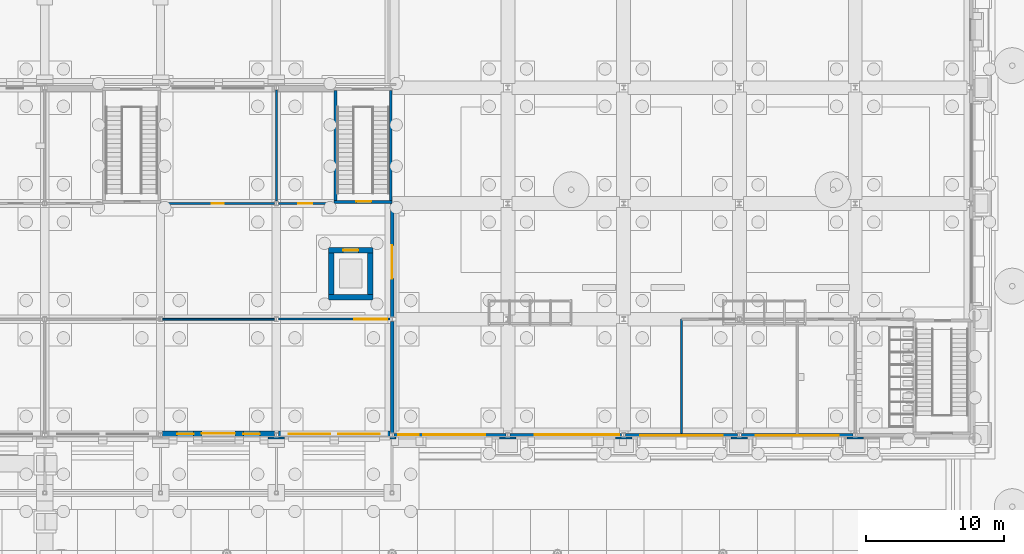
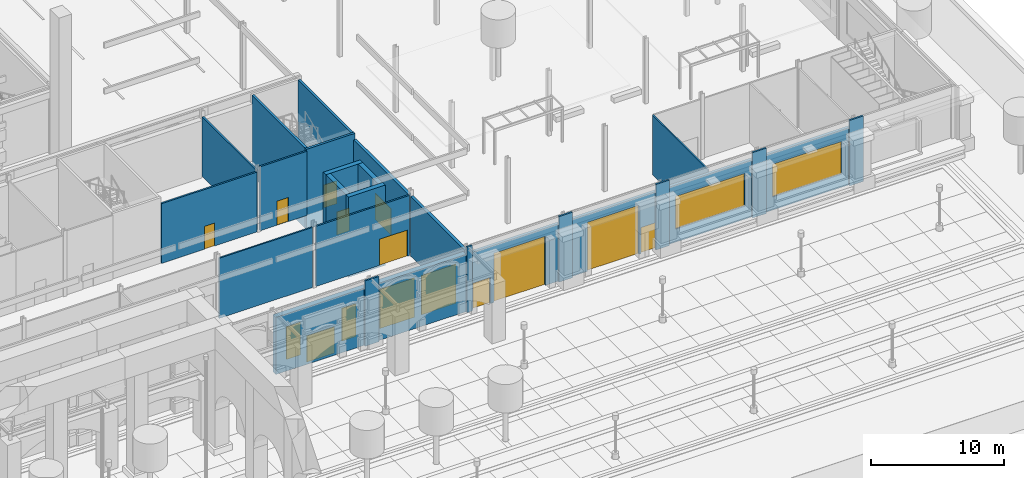
# One storey, part 99 of 222: 27 walls, 11 doors, 6 windows, 17 openings.
"""IFC4 building model written with IfcOpenShell, lengths in metres."""

from ifc_helpers import new_model, si_unit, direction, frame, frame_2d, origin, place, context, subcontext, project, spatial, rectangle, extrude, material, layer, layer_set, type_object, element, fill, save


model = new_model("IFC4")

# Units and contexts
model_context = context("Model", 3, precision=1e-05, world=origin(), true_north=direction((0.0, 1.0)))
body_context = subcontext(model_context, "Body", "Model", "MODEL_VIEW")
ifc_project = project(units=[si_unit("LENGTHUNIT", "METRE"), si_unit("AREAUNIT", "SQUARE_METRE"), si_unit("VOLUMEUNIT", "CUBIC_METRE"), si_unit("PLANEANGLEUNIT", "RADIAN"), si_unit("MASSUNIT", "GRAM", prefix="KILO")], contexts=[model_context])

# Site, building, storey
site_placement = place(None, origin())
site = spatial("IfcSite", under=ifc_project, at=site_placement, CompositionType="ELEMENT")
building_placement = place(site_placement, origin())
building = spatial("IfcBuilding", under=site, at=building_placement, Name="Sava Quay Ferry Terminal", CompositionType="ELEMENT")
storey_placement = place(building_placement, origin())
storey = spatial("IfcBuildingStorey", under=building, at=storey_placement, Name="L00", CompositionType="ELEMENT", Elevation=0.0)

# Wall
ifc_material_1 = material(Name="Concrete C30/37", Category="concrete")
ifc_layer_1 = layer(ifc_material_1, 0.25)
ifc_layer_set_1 = layer_set([ifc_layer_1], Name="Concrete C30/37")
wall_type_1 = type_object("IfcWallType", Name="Compartment wall, reinforced concrete 250", PredefinedType="PARTITIONING", material=ifc_layer_set_1)
wall_1_placement = place(storey_placement, frame((126.0, 25.360107421875, 0.0), z_axis=(0.0, 0.0, 1.0), x_axis=(0.0, 1.0, 0.0)))
element("IfcWall", 1, at=wall_1_placement, inside=storey, type_object=wall_type_1, Name="Compartment wall, reinforced concrete 250", PredefinedType="PARTITIONING", context=body_context, shape_type="SweptSolid", body=[
    extrude(rectangle(XDim=8.079833984375, YDim=0.25, at=frame_2d((4.0400390625, 0.0))), origin(), (0.0, 0.0, 1.0), 5.4599609375),
])

# Wall, opening, door
wall_2_placement = place(storey_placement, frame((126.0, 33.760009765625, 0.0), z_axis=(0.0, 0.0, 1.0), x_axis=(0.0, 1.0, 0.0)))
wall_2 = element("IfcWall", 2, at=wall_2_placement, inside=storey, type_object=wall_type_1, Name="Compartment wall, reinforced concrete 250", PredefinedType="PARTITIONING", context=body_context, shape_type="SweptSolid", body=[
    extrude(rectangle(XDim=8.239990234375, YDim=0.25, at=frame_2d((4.1201171875, 0.0))), origin(), (0.0, 0.0, 1.0), 5.449951171875),
])
opening_1_placement = place(wall_2_placement, frame((2.7900390625, 0.0, 0.0)))
opening_1 = element("IfcOpeningElement", 3, at=opening_1_placement, cuts=wall_2, Name="Opening DP0003", PredefinedType="OPENING", context=body_context, shape_type="SweptSolid", body=[
    extrude(rectangle(XDim=2.39990234375, YDim=2.39990234375, at=frame_2d((1.199951171875, 1.199951171875))), frame((0.0, 0.125, 0.0), z_axis=(0.0, -1.0, 0.0), x_axis=(1.0, 0.0, 0.0)), (0.0, 0.0, 1.0), 0.25),
])
ifc_material_2 = material(Name="Steel fire door set", Category="steel")
door_type_1 = type_object("IfcDoorType", Name="Compartment fire door set EI 90 2400 x 2400", OperationType="NOTDEFINED", PredefinedType="DOOR", material=ifc_material_2)
door_1_placement = place(opening_1_placement, origin())
door_1 = element("IfcDoor", 4, at=door_1_placement, inside=storey, type_object=door_type_1, Name="Door DP0003", OperationType="DOUBLE_DOOR_DOUBLE_SWING", OverallHeight=2.39990234375, OverallWidth=2.39990234375, PredefinedType="DOOR", context=body_context, shape_type="SweptSolid", body=[
    extrude(rectangle(XDim=2.39990234375, YDim=2.39990234375, at=frame_2d((1.199951171875, 1.199951171875))), frame((0.0, 0.02490234375, 0.0), z_axis=(0.0, -1.0, 0.0), x_axis=(1.0, 0.0, 0.0)), (0.0, 0.0, 1.0), 0.050048828125),
])
fill(opening_1, door_1)

# Wall, openings, doors
ifc_material_3 = material(Name="Concrete C35/45", Category="concrete")
ifc_layer_2 = layer(ifc_material_3, 0.25)
ifc_layer_set_2 = layer_set([ifc_layer_2], Name="Concrete C35/45")
wall_type_2 = type_object("IfcWallType", Name="Deck perimeter precast panel 250", PredefinedType="SOLIDWALL", material=ifc_layer_set_2)
wall_3_placement = place(storey_placement, frame((126.14990234375, 25.1650390625, 0.0), z_axis=(0.0, 0.0, 1.0), x_axis=(1.0, 0.0, 0.0)))
wall_3 = element("IfcWall", 5, at=wall_3_placement, inside=storey, type_object=wall_type_2, Name="External wall V-S", PredefinedType="SOLIDWALL", context=body_context, shape_type="SweptSolid", body=[
    extrude(rectangle(XDim=8.10009765625, YDim=0.25, at=frame_2d((4.050048828125, 0.0))), origin(), (0.0, 0.0, 1.0), 5.25),
])
opening_2_placement = place(wall_3_placement, frame((2.10009765625, 0.0, 0.0)))
opening_2 = element("IfcOpeningElement", 6, at=opening_2_placement, cuts=wall_3, Name="Opening DX-V1", PredefinedType="OPENING", context=body_context, shape_type="SweptSolid", body=[
    extrude(rectangle(XDim=4.5, YDim=4.5, at=frame_2d((2.25, 2.25))), frame((0.0, 0.125, 0.0), z_axis=(0.0, -1.0, 0.0), x_axis=(1.0, 0.0, 0.0)), (0.0, 0.0, 1.0), 0.25),
])
opening_3_placement = place(wall_3_placement, frame((0.300048828125, 0.0, 0.0)))
opening_3 = element("IfcOpeningElement", 7, at=opening_3_placement, cuts=wall_3, Name="Opening DX-V11", PredefinedType="OPENING", context=body_context, shape_type="SweptSolid", body=[
    extrude(rectangle(XDim=1.5, YDim=2.39990234375, at=frame_2d((0.75, 1.199951171875))), frame((0.0, 0.125, 0.0), z_axis=(0.0, -1.0, 0.0), x_axis=(1.0, 0.0, 0.0)), (0.0, 0.0, 1.0), 0.25),
])
ifc_material_4 = material(Name="Aluminium bronze anodised, glazing safety laminated", Category="aluminium")
door_type_2 = type_object("IfcDoorType", Name="Exit door 1500x2400", OperationType="DOUBLE_DOOR_SINGLE_SWING", PredefinedType="DOOR", material=ifc_material_4)
door_2_placement = place(opening_3_placement, frame((1.5, 0.050048828125, 0.0), z_axis=(0.0, 0.0, 1.0), x_axis=(-1.0, 0.0, 0.0)))
door_2 = element("IfcDoor", 8, at=door_2_placement, inside=storey, type_object=door_type_2, Name="Door DX-V11", OperationType="DOUBLE_DOOR_SINGLE_SWING", OverallHeight=2.39990234375, OverallWidth=1.5, PredefinedType="DOOR", context=body_context, shape_type="SweptSolid", body=[
    extrude(rectangle(XDim=1.5, YDim=2.39990234375, at=frame_2d((0.75, 1.199951171875))), frame((0.0, 0.02490234375, 0.0), z_axis=(0.0, -1.0, 0.0), x_axis=(1.0, 0.0, 0.0)), (0.0, 0.0, 1.0), 0.050048828125),
])
fill(opening_3, door_2)
ifc_material_5 = material(Name="Steel gate galvanised", Category="steel")
door_type_3 = type_object("IfcDoorType", Name="Vehicle gate 4500x4500", OperationType="ROLLINGUP", PredefinedType="GATE", material=ifc_material_5)
door_3_placement = place(opening_2_placement, frame((4.5, 0.050048828125, 0.0), z_axis=(0.0, 0.0, 1.0), x_axis=(-1.0, 0.0, 0.0)))
door_3 = element("IfcDoor", 9, at=door_3_placement, inside=storey, type_object=door_type_3, Name="Door DX-V1", OperationType="ROLLINGUP", OverallHeight=4.5, OverallWidth=4.5, PredefinedType="GATE", context=body_context, shape_type="SweptSolid", body=[
    extrude(rectangle(XDim=4.5, YDim=4.5, at=frame_2d((2.25, 2.25))), frame((0.0, 0.02490234375, 0.0), z_axis=(0.0, -1.0, 0.0), x_axis=(1.0, 0.0, 0.0)), (0.0, 0.0, 1.0), 0.050048828125),
])
fill(opening_2, door_3)

wall_4_placement = place(storey_placement, frame((134.550048828125, 25.1650390625, 0.0), z_axis=(0.0, 0.0, 1.0), x_axis=(1.0, 0.0, 0.0)))
wall_4 = element("IfcWall", 10, at=wall_4_placement, inside=storey, type_object=wall_type_2, Name="External wall V-S", PredefinedType="SOLIDWALL", context=body_context, shape_type="SweptSolid", body=[
    extrude(rectangle(XDim=8.099853515625, YDim=0.25, at=frame_2d((4.0498046875, 0.0))), origin(), (0.0, 0.0, 1.0), 5.25),
])
opening_4_placement = place(wall_4_placement, frame((1.800048828125, 0.0, 0.0)))
opening_4 = element("IfcOpeningElement", 11, at=opening_4_placement, cuts=wall_4, Name="Opening DX-V2", PredefinedType="OPENING", context=body_context, shape_type="SweptSolid", body=[
    extrude(rectangle(XDim=4.5, YDim=4.5, at=frame_2d((2.25, 2.25))), frame((0.0, 0.125, 0.0), z_axis=(0.0, -1.0, 0.0), x_axis=(1.0, 0.0, 0.0)), (0.0, 0.0, 1.0), 0.25),
])
opening_5_placement = place(wall_4_placement, frame((6.449951171875, 0.0, 0.0)))
opening_5 = element("IfcOpeningElement", 12, at=opening_5_placement, cuts=wall_4, Name="Opening DX-V12", PredefinedType="OPENING", context=body_context, shape_type="SweptSolid", body=[
    extrude(rectangle(XDim=1.5, YDim=2.39990234375, at=frame_2d((0.75, 1.199951171875))), frame((0.0, 0.125, 0.0), z_axis=(0.0, -1.0, 0.0), x_axis=(1.0, 0.0, 0.0)), (0.0, 0.0, 1.0), 0.25),
])
door_4_placement = place(opening_5_placement, frame((1.5, 0.050048828125, 0.0), z_axis=(0.0, 0.0, 1.0), x_axis=(-1.0, 0.0, 0.0)))
door_4 = element("IfcDoor", 13, at=door_4_placement, inside=storey, type_object=door_type_2, Name="Door DX-V12", OperationType="DOUBLE_DOOR_SINGLE_SWING", OverallHeight=2.39990234375, OverallWidth=1.5, PredefinedType="DOOR", context=body_context, shape_type="SweptSolid", body=[
    extrude(rectangle(XDim=1.5, YDim=2.39990234375, at=frame_2d((0.75, 1.199951171875))), frame((0.0, 0.02490234375, 0.0), z_axis=(0.0, -1.0, 0.0), x_axis=(1.0, 0.0, 0.0)), (0.0, 0.0, 1.0), 0.050048828125),
])
fill(opening_5, door_4)
door_5_placement = place(opening_4_placement, frame((4.5, 0.050048828125, 0.0), z_axis=(0.0, 0.0, 1.0), x_axis=(-1.0, 0.0, 0.0)))
door_5 = element("IfcDoor", 14, at=door_5_placement, inside=storey, type_object=door_type_3, Name="Door DX-V2", OperationType="ROLLINGUP", OverallHeight=4.5, OverallWidth=4.5, PredefinedType="GATE", context=body_context, shape_type="SweptSolid", body=[
    extrude(rectangle(XDim=4.5, YDim=4.5, at=frame_2d((2.25, 2.25))), frame((0.0, 0.02490234375, 0.0), z_axis=(0.0, -1.0, 0.0), x_axis=(1.0, 0.0, 0.0)), (0.0, 0.0, 1.0), 0.050048828125),
])
fill(opening_4, door_5)

# Wall, opening, window
wall_5_placement = place(storey_placement, frame((142.949951171875, 25.1650390625, 0.0), z_axis=(0.0, 0.0, 1.0), x_axis=(1.0, 0.0, 0.0)))
wall_5 = element("IfcWall", 15, at=wall_5_placement, inside=storey, type_object=wall_type_2, Name="External wall V-S", PredefinedType="SOLIDWALL", context=body_context, shape_type="SweptSolid", body=[
    extrude(rectangle(XDim=8.10009765625, YDim=0.25, at=frame_2d((4.050048828125, 0.0))), origin(), (0.0, 0.0, 1.0), 5.25),
])
opening_6_placement = place(wall_5_placement, frame((1.050048828125, 0.0, 1.199951171875)))
opening_6 = element("IfcOpeningElement", 16, at=opening_6_placement, cuts=wall_5, Name="Opening W-L", PredefinedType="OPENING", context=body_context, shape_type="SweptSolid", body=[
    extrude(rectangle(XDim=6.0, YDim=3.0, at=frame_2d((3.0, 1.5))), frame((0.0, 0.125, 0.0), z_axis=(0.0, -1.0, 0.0), x_axis=(1.0, 0.0, 0.0)), (0.0, 0.0, 1.0), 0.25),
])
ifc_material_6 = material(Name="Aluminium bronze anodised frame, glazing double low-e Ug 1.1", Category="aluminium")
window_type_1 = type_object("IfcWindowType", Name="Deck louvre window 6000x3000", PartitioningType="SINGLE_PANEL", PredefinedType="WINDOW", material=ifc_material_6)
window_1_placement = place(opening_6_placement, origin())
window_1 = element("IfcWindow", 17, at=window_1_placement, inside=storey, type_object=window_type_1, Name="Louvre window W-L", OverallHeight=3.0, OverallWidth=6.0, PartitioningType="SINGLE_PANEL", PredefinedType="WINDOW", context=body_context, shape_type="SweptSolid", body=[
    extrude(rectangle(XDim=6.0, YDim=3.0, at=frame_2d((3.0, 1.5))), frame((0.0, 0.030029296875, 0.0), z_axis=(0.0, -1.0, 0.0), x_axis=(1.0, 0.0, 0.0)), (0.0, 0.0, 1.0), 0.06005859375),
])
fill(opening_6, window_1)

wall_6_placement = place(storey_placement, frame((151.35009765625, 25.1650390625, 0.0), z_axis=(0.0, 0.0, 1.0), x_axis=(1.0, 0.0, 0.0)))
wall_6 = element("IfcWall", 18, at=wall_6_placement, inside=storey, type_object=wall_type_2, Name="External wall V-S", PredefinedType="SOLIDWALL", context=body_context, shape_type="SweptSolid", body=[
    extrude(rectangle(XDim=8.099853515625, YDim=0.25, at=frame_2d((4.0498046875, 0.0))), origin(), (0.0, 0.0, 1.0), 5.25),
])
opening_7_placement = place(wall_6_placement, frame((1.050048828125, 0.0, 1.199951171875)))
opening_7 = element("IfcOpeningElement", 19, at=opening_7_placement, cuts=wall_6, Name="Opening W-L", PredefinedType="OPENING", context=body_context, shape_type="SweptSolid", body=[
    extrude(rectangle(XDim=6.0, YDim=3.0, at=frame_2d((3.0, 1.5))), frame((0.0, 0.125, 0.0), z_axis=(0.0, -1.0, 0.0), x_axis=(1.0, 0.0, 0.0)), (0.0, 0.0, 1.0), 0.25),
])
window_2_placement = place(opening_7_placement, origin())
window_2 = element("IfcWindow", 20, at=window_2_placement, inside=storey, type_object=window_type_1, Name="Louvre window W-L", OverallHeight=3.0, OverallWidth=6.0, PartitioningType="SINGLE_PANEL", PredefinedType="WINDOW", context=body_context, shape_type="SweptSolid", body=[
    extrude(rectangle(XDim=6.0, YDim=3.0, at=frame_2d((3.0, 1.5))), frame((0.0, 0.030029296875, 0.0), z_axis=(0.0, -1.0, 0.0), x_axis=(1.0, 0.0, 0.0)), (0.0, 0.0, 1.0), 0.06005859375),
])
fill(opening_7, window_2)

# Walls
ifc_material_7 = material(Name="Limestone Mutalj", Category="masonry")
ifc_layer_3 = layer(ifc_material_7, 0.14990234375)
ifc_layer_set_3 = layer_set([ifc_layer_3], Name="Limestone Mutalj")
wall_type_3 = type_object("IfcWallType", Name="Pier cladding 150", PredefinedType="SOLIDWALL", material=ifc_layer_set_3)
wall_7_placement = place(storey_placement, frame((117.0, 24.965087890625, 0.0), z_axis=(0.0, 0.0, 1.0), x_axis=(1.0, 0.0, 0.0)))
element("IfcWall", 21, at=wall_7_placement, inside=storey, type_object=wall_type_3, Name="Pier P-S grid 117.6", PredefinedType="SOLIDWALL", context=body_context, shape_type="SweptSolid", body=[
    extrude(rectangle(XDim=1.199951171875, YDim=0.14990234375, at=frame_2d((0.60009765625, 0.0))), origin(), (0.0, 0.0, 1.0), 6.0),
])
wall_8_placement = place(storey_placement, frame((125.85009765625, 24.965087890625, 0.0), z_axis=(0.0, 0.0, 1.0), x_axis=(1.0, 0.0, 0.0)))
element("IfcWall", 22, at=wall_8_placement, inside=storey, type_object=wall_type_3, Name="Pier P-S grid 126", PredefinedType="SOLIDWALL", context=body_context, shape_type="SweptSolid", body=[
    extrude(rectangle(XDim=0.449951171875, YDim=0.14990234375, at=frame_2d((0.22509765625, 0.0))), origin(), (0.0, 0.0, 1.0), 6.0),
])
for number, where, z_axis, x_axis, name in (
    (23, (133.800048828125, 24.965087890625, 0.0), (0.0, 0.0, 1.0), (1.0, 0.0, 0.0), "Pier V-S grid 134.4"),
    (24, (142.199951171875, 24.965087890625, 0.0), (0.0, 0.0, 1.0), (1.0, 0.0, 0.0), "Pier V-S grid 142.8"),
    (25, (150.60009765625, 24.965087890625, 0.0), (0.0, 0.0, 1.0), (1.0, 0.0, 0.0), "Pier V-S grid 151.2"),
    (26, (159.0, 24.965087890625, 0.0), (0.0, 0.0, 1.0), (1.0, 0.0, 0.0), "Pier V-S grid 159.6"),
):
    element("IfcWall", number, at=place(storey_placement, frame(where, z_axis=z_axis, x_axis=x_axis)), inside=storey, type_object=wall_type_3, Name=name, PredefinedType="SOLIDWALL", context=body_context, shape_type="SweptSolid", body=[
        extrude(rectangle(XDim=1.199951171875, YDim=0.14990234375, at=frame_2d((0.60009765625, 0.0))), origin(), (0.0, 0.0, 1.0), 6.0),
    ])

# Wall, opening, door
ifc_material_8 = material(Name="Masonry blockwork", Category="masonry")
ifc_layer_4 = layer(ifc_material_8, 0.14990234375)
ifc_layer_set_4 = layer_set([ifc_layer_4], Name="Masonry blockwork")
wall_type_4 = type_object("IfcWallType", Name="Plant, store and lobby wall, blockwork 150", PredefinedType="PARTITIONING", material=ifc_layer_set_4)
wall_9_placement = place(storey_placement, frame((117.75, 33.60009765625, 0.0), z_axis=(0.0, 0.0, 1.0), x_axis=(1.0, 0.0, 0.0)))
wall_9 = element("IfcWall", 27, at=wall_9_placement, inside=storey, type_object=wall_type_4, Name="Plant, store and lobby wall, blockwork 150", PredefinedType="PARTITIONING", context=body_context, shape_type="SweptSolid", body=[
    extrude(rectangle(XDim=8.10009765625, YDim=0.14990234375, at=frame_2d((4.050048828125, 0.0))), origin(), (0.0, 0.0, 1.0), 5.510009765625),
])
opening_8_placement = place(wall_9_placement, frame((5.5, 0.0, 0.0)))
opening_8 = element("IfcOpeningElement", 28, at=opening_8_placement, cuts=wall_9, Name="Opening D0013", PredefinedType="OPENING", context=body_context, shape_type="SweptSolid", body=[
    extrude(rectangle(XDim=2.39990234375, YDim=2.39990234375, at=frame_2d((1.199951171875, 1.199951171875))), frame((0.0, 0.074951171875, 0.0), z_axis=(0.0, -1.0, 0.0), x_axis=(1.0, 0.0, 0.0)), (0.0, 0.0, 1.0), 0.14990234375),
])
ifc_material_9 = material(Name="Timber door set", Category="wood")
door_type_4 = type_object("IfcDoorType", Name="Double door 2400 x 2400", OperationType="NOTDEFINED", PredefinedType="DOOR", material=ifc_material_9)
door_6_placement = place(opening_8_placement, origin())
door_6 = element("IfcDoor", 29, at=door_6_placement, inside=storey, type_object=door_type_4, Name="Door D0013", OperationType="DOUBLE_DOOR_DOUBLE_SWING", OverallHeight=2.39990234375, OverallWidth=2.39990234375, PredefinedType="DOOR", context=body_context, shape_type="SweptSolid", body=[
    extrude(rectangle(XDim=2.39990234375, YDim=2.39990234375, at=frame_2d((1.199951171875, 1.199951171875))), frame((0.0, 0.02490234375, 0.0), z_axis=(0.0, -1.0, 0.0), x_axis=(1.0, 0.0, 0.0)), (0.0, 0.0, 1.0), 0.050048828125),
])
fill(opening_8, door_6)

wall_10_placement = place(storey_placement, frame((109.199951171875, 42.0, 0.0), z_axis=(0.0, 0.0, 1.0), x_axis=(1.0, 0.0, 0.0)))
wall_10 = element("IfcWall", 30, at=wall_10_placement, inside=storey, type_object=wall_type_4, Name="Plant, store and lobby wall, blockwork 150", PredefinedType="PARTITIONING", context=body_context, shape_type="SweptSolid", body=[
    extrude(rectangle(XDim=8.25, YDim=0.14990234375, at=frame_2d((4.125, 0.0))), origin(), (0.0, 0.0, 1.0), 5.47998046875),
])
opening_9_placement = place(wall_10_placement, frame((3.699951171875, 0.0, 0.0)))
opening_9 = element("IfcOpeningElement", 31, at=opening_9_placement, cuts=wall_10, Name="Opening D0017", PredefinedType="OPENING", context=body_context, shape_type="SweptSolid", body=[
    extrude(rectangle(XDim=0.89990234375, YDim=2.10009765625, at=frame_2d((0.449951171875, 1.050048828125))), frame((0.0, 0.074951171875, 0.0), z_axis=(0.0, -1.0, 0.0), x_axis=(1.0, 0.0, 0.0)), (0.0, 0.0, 1.0), 0.14990234375),
])
ifc_material_10 = material(Name="Timber door set", Category="wood")
door_type_5 = type_object("IfcDoorType", Name="Single door 900 x 2100", OperationType="NOTDEFINED", PredefinedType="DOOR", material=ifc_material_10)
door_7_placement = place(opening_9_placement, origin())
door_7 = element("IfcDoor", 32, at=door_7_placement, inside=storey, type_object=door_type_5, Name="Door D0017", OperationType="SINGLE_SWING_LEFT", OverallHeight=2.10009765625, OverallWidth=0.89990234375, PredefinedType="DOOR", context=body_context, shape_type="SweptSolid", body=[
    extrude(rectangle(XDim=0.89990234375, YDim=2.10009765625, at=frame_2d((0.449951171875, 1.050048828125))), frame((0.0, 0.02490234375, 0.0), z_axis=(0.0, -1.0, 0.0), x_axis=(1.0, 0.0, 0.0)), (0.0, 0.0, 1.0), 0.050048828125),
])
fill(opening_9, door_7)

wall_11_placement = place(storey_placement, frame((117.75, 42.0, 0.0), z_axis=(0.0, 0.0, 1.0), x_axis=(1.0, 0.0, 0.0)))
wall_11 = element("IfcWall", 33, at=wall_11_placement, inside=storey, type_object=wall_type_4, Name="Plant, store and lobby wall, blockwork 150", PredefinedType="PARTITIONING", context=body_context, shape_type="SweptSolid", body=[
    extrude(rectangle(XDim=4.050048828125, YDim=0.14990234375, at=frame_2d((2.02490234375, 0.0))), origin(), (0.0, 0.0, 1.0), 5.8701171875),
])
opening_10_placement = place(wall_11_placement, frame((1.449951171875, 0.0, 0.0)))
opening_10 = element("IfcOpeningElement", 34, at=opening_10_placement, cuts=wall_11, Name="Opening D0018", PredefinedType="OPENING", context=body_context, shape_type="SweptSolid", body=[
    extrude(rectangle(XDim=1.0, YDim=2.199951171875, at=frame_2d((0.5, 1.10009765625))), frame((0.0, 0.074951171875, 0.0), z_axis=(0.0, -1.0, 0.0), x_axis=(1.0, 0.0, 0.0)), (0.0, 0.0, 1.0), 0.14990234375),
])
ifc_material_11 = material(Name="Timber door set", Category="wood")
door_type_6 = type_object("IfcDoorType", Name="Single door 1000 x 2200", OperationType="NOTDEFINED", PredefinedType="DOOR", material=ifc_material_11)
door_8_placement = place(opening_10_placement, origin())
door_8 = element("IfcDoor", 35, at=door_8_placement, inside=storey, type_object=door_type_6, Name="Door D0018", OperationType="SINGLE_SWING_LEFT", OverallHeight=2.199951171875, OverallWidth=1.0, PredefinedType="DOOR", context=body_context, shape_type="SweptSolid", body=[
    extrude(rectangle(XDim=1.0, YDim=2.199951171875, at=frame_2d((0.5, 1.10009765625))), frame((0.0, 0.02490234375, 0.0), z_axis=(0.0, -1.0, 0.0), x_axis=(1.0, 0.0, 0.0)), (0.0, 0.0, 1.0), 0.050048828125),
])
fill(opening_10, door_8)

# Wall
wall_12_placement = place(storey_placement, frame((117.60009765625, 42.159912109375, 0.0), z_axis=(0.0, 0.0, 1.0), x_axis=(0.0, 1.0, 0.0)))
element("IfcWall", 36, at=wall_12_placement, inside=storey, type_object=wall_type_4, Name="Plant, store and lobby wall, blockwork 150", PredefinedType="PARTITIONING", context=body_context, shape_type="SweptSolid", body=[
    extrude(rectangle(XDim=8.080078125, YDim=0.14990234375, at=frame_2d((4.0400390625, 0.0))), origin(), (0.0, 0.0, 1.0), 5.47998046875),
])

# Wall, opening, door
ifc_material_12 = material(Name="Concrete C35/45", Category="concrete")
ifc_layer_5 = layer(ifc_material_12, 0.199951171875)
ifc_layer_set_5 = layer_set([ifc_layer_5], Name="Concrete C35/45")
wall_type_5 = type_object("IfcWallType", Name="RC core wall 200", PredefinedType="SHEAR", material=ifc_layer_set_5)
wall_13_placement = place(storey_placement, frame((121.800048828125, 42.10009765625, -1.35009765625), z_axis=(0.0, 0.0, 1.0), x_axis=(1.0, 0.0, 0.0)))
wall_13 = element("IfcWall", 37, at=wall_13_placement, inside=storey, type_object=wall_type_5, Name="Core wall ST-P2 S L00", PredefinedType="SHEAR", context=body_context, shape_type="SweptSolid", body=[
    extrude(rectangle(XDim=4.199951171875, YDim=0.199951171875, at=frame_2d((2.10009765625, 0.0))), origin(), (0.0, 0.0, 1.0), 7.35009765625),
])
opening_11_placement = place(wall_13_placement, frame((1.60009765625, 0.0, 1.35009765625)))
opening_11 = element("IfcOpeningElement", 38, at=opening_11_placement, cuts=wall_13, Name="Opening DS0012", PredefinedType="OPENING", context=body_context, shape_type="SweptSolid", body=[
    extrude(rectangle(XDim=1.10009765625, YDim=2.10009765625, at=frame_2d((0.550048828125, 1.050048828125))), frame((0.0, 0.10009765625, 0.0), z_axis=(0.0, -1.0, 0.0), x_axis=(1.0, 0.0, 0.0)), (0.0, 0.0, 1.0), 0.199951171875),
])
ifc_material_13 = material(Name="Steel fire door set", Category="steel")
door_type_7 = type_object("IfcDoorType", Name="Stair fire door 1100 x 2100", OperationType="NOTDEFINED", PredefinedType="DOOR", material=ifc_material_13)
door_9_placement = place(opening_11_placement, frame((1.10009765625, 0.050048828125, 0.0), z_axis=(0.0, 0.0, 1.0), x_axis=(-1.0, 0.0, 0.0)))
door_9 = element("IfcDoor", 39, at=door_9_placement, inside=storey, type_object=door_type_7, Name="Door DS0012", OperationType="SINGLE_SWING_RIGHT", OverallHeight=2.10009765625, OverallWidth=1.10009765625, PredefinedType="DOOR", context=body_context, shape_type="SweptSolid", body=[
    extrude(rectangle(XDim=1.10009765625, YDim=2.10009765625, at=frame_2d((0.550048828125, 1.050048828125))), frame((0.0, 0.02490234375, 0.0), z_axis=(0.0, -1.0, 0.0), x_axis=(1.0, 0.0, 0.0)), (0.0, 0.0, 1.0), 0.050048828125),
])
fill(opening_11, door_9)

# Walls
for number, where, z_axis, x_axis, name in (
    (40, (121.89990234375, 42.199951171875, -1.35009765625), (0.0, 0.0, 1.0), (0.0, 1.0, 0.0), "Core wall ST-P2 W L00"),
    (41, (125.89990234375, 42.199951171875, -1.35009765625), (0.0, 0.0, 1.0), (0.0, 1.0, 0.0), "Core wall ST-P2 E L00"),
):
    element("IfcWall", number, at=place(storey_placement, frame(where, z_axis=z_axis, x_axis=x_axis)), inside=storey, type_object=wall_type_5, Name=name, PredefinedType="SHEAR", context=body_context, shape_type="SweptSolid", body=[
        extrude(rectangle(XDim=8.0, YDim=0.199951171875, at=frame_2d((4.0, 0.0))), origin(), (0.0, 0.0, 1.0), 7.35009765625),
    ])
ifc_material_14 = material(Name="Concrete C35/45", Category="concrete")
ifc_layer_6 = layer(ifc_material_14, 0.39990234375)
ifc_layer_set_6 = layer_set([ifc_layer_6], Name="Concrete C35/45")
wall_type_6 = type_object("IfcWallType", Name="RC core wall 400", PredefinedType="SHEAR", material=ifc_layer_set_6)
wall_14_placement = place(storey_placement, frame((121.39990234375, 35.199951171875, -1.35009765625), z_axis=(0.0, 0.0, 1.0), x_axis=(1.0, 0.0, 0.0)))
element("IfcWall", 42, at=wall_14_placement, inside=storey, type_object=wall_type_6, Name="Core wall LF-P2 S L00", PredefinedType="SHEAR", context=body_context, shape_type="SweptSolid", body=[
    extrude(rectangle(XDim=3.2001953125, YDim=0.39990234375, at=frame_2d((1.60009765625, 0.0))), origin(), (0.0, 0.0, 1.0), 7.35009765625),
])

# Wall, opening, door
wall_15_placement = place(storey_placement, frame((121.39990234375, 38.60009765625, -1.35009765625), z_axis=(0.0, 0.0, 1.0), x_axis=(1.0, 0.0, 0.0)))
wall_15 = element("IfcWall", 43, at=wall_15_placement, inside=storey, type_object=wall_type_6, Name="Core wall LF-P2 N L00", PredefinedType="SHEAR", context=body_context, shape_type="SweptSolid", body=[
    extrude(rectangle(XDim=3.2001953125, YDim=0.39990234375, at=frame_2d((1.60009765625, 0.0))), origin(), (0.0, 0.0, 1.0), 7.35009765625),
])
opening_12_placement = place(wall_15_placement, frame((1.050048828125, 0.0, 1.35009765625)))
opening_12 = element("IfcOpeningElement", 44, at=opening_12_placement, cuts=wall_15, Name="Opening LD0006", PredefinedType="OPENING", context=body_context, shape_type="SweptSolid", body=[
    extrude(rectangle(XDim=1.10009765625, YDim=2.10009765625, at=frame_2d((0.550048828125, 1.050048828125))), frame((0.0, 0.199951171875, 0.0), z_axis=(0.0, -1.0, 0.0), x_axis=(1.0, 0.0, 0.0)), (0.0, 0.0, 1.0), 0.39990234375),
])
ifc_material_15 = material(Name="Stainless steel", Category="steel")
door_type_8 = type_object("IfcDoorType", Name="Lift landing door 1100 x 2100", OperationType="NOTDEFINED", PredefinedType="DOOR", material=ifc_material_15)
door_10_placement = place(opening_12_placement, origin())
door_10 = element("IfcDoor", 45, at=door_10_placement, inside=storey, type_object=door_type_8, Name="Door LD0006", OperationType="SLIDING_TO_RIGHT", OverallHeight=2.10009765625, OverallWidth=1.10009765625, PredefinedType="DOOR", context=body_context, shape_type="SweptSolid", body=[
    extrude(rectangle(XDim=1.10009765625, YDim=2.10009765625, at=frame_2d((0.550048828125, 1.050048828125))), frame((0.0, 0.02490234375, 0.0), z_axis=(0.0, -1.0, 0.0), x_axis=(1.0, 0.0, 0.0)), (0.0, 0.0, 1.0), 0.050048828125),
])
fill(opening_12, door_10)

# Walls
for number, where, z_axis, x_axis, name in (
    (46, (121.60009765625, 35.39990234375, -1.35009765625), (0.0, 0.0, 1.0), (0.0, 1.0, 0.0), "Core wall LF-P2 W L00"),
    (47, (124.39990234375, 35.39990234375, -1.35009765625), (0.0, 0.0, 1.0), (0.0, 1.0, 0.0), "Core wall LF-P2 E L00"),
):
    element("IfcWall", number, at=place(storey_placement, frame(where, z_axis=z_axis, x_axis=x_axis)), inside=storey, type_object=wall_type_6, Name=name, PredefinedType="SHEAR", context=body_context, shape_type="SweptSolid", body=[
        extrude(rectangle(XDim=3.0, YDim=0.39990234375, at=frame_2d((1.5, 0.0))), origin(), (0.0, 0.0, 1.0), 7.35009765625),
    ])
ifc_material_16 = material(Name="Plasterboard on steel studs", Category="steel")
ifc_layer_7 = layer(ifc_material_16, 0.125)
ifc_layer_set_7 = layer_set([ifc_layer_7], Name="Plasterboard on steel studs")
wall_type_7 = type_object("IfcWallType", Name="Room partition, plasterboard on steel studs 125", PredefinedType="PARTITIONING", material=ifc_layer_set_7)
wall_16_placement = place(storey_placement, frame((109.35009765625, 33.60009765625, 0.0), z_axis=(0.0, 0.0, 1.0), x_axis=(1.0, 0.0, 0.0)))
element("IfcWall", 48, at=wall_16_placement, inside=storey, type_object=wall_type_7, Name="Room partition, plasterboard on steel studs 125", PredefinedType="PARTITIONING", context=body_context, shape_type="SweptSolid", body=[
    extrude(rectangle(XDim=8.099853515625, YDim=0.125, at=frame_2d((4.0498046875, 0.0))), origin(), (0.0, 0.0, 1.0), 5.510009765625),
])
wall_17_placement = place(storey_placement, frame((147.0, 25.29052734375, 0.0), z_axis=(0.0, 0.0, 1.0), x_axis=(0.0, 1.0, 0.0)))
element("IfcWall", 49, at=wall_17_placement, inside=storey, type_object=wall_type_7, Name="Room partition, plasterboard on steel studs 125", PredefinedType="PARTITIONING", context=body_context, shape_type="SweptSolid", body=[
    extrude(rectangle(XDim=8.3095703125, YDim=0.125, at=frame_2d((4.15478515625, 0.0))), origin(), (0.0, 0.0, 1.0), 5.449951171875),
])

# Wall, openings, door, windows
ifc_material_17 = material(Name="Limestone Mutalj", Category="masonry")
ifc_layer_8 = layer(ifc_material_17, 0.449951171875)
ifc_layer_set_8 = layer_set([ifc_layer_8], Name="Limestone Mutalj")
wall_type_8 = type_object("IfcWallType", Name="Rusticated limestone infill 450", PredefinedType="SOLIDWALL", material=ifc_layer_set_8)
wall_18_placement = place(storey_placement, frame((109.35009765625, 25.264892578125, 0.0), z_axis=(0.0, 0.0, 1.0), x_axis=(1.0, 0.0, 0.0)))
wall_18 = element("IfcWall", 50, at=wall_18_placement, inside=storey, type_object=wall_type_8, Name="External wall P-S", PredefinedType="SOLIDWALL", context=body_context, shape_type="SweptSolid", body=[
    extrude(rectangle(XDim=8.099853515625, YDim=0.449951171875, at=frame_2d((4.0498046875, 0.0))), origin(), (0.0, 0.0, 1.0), 5.25),
])
opening_13_placement = place(wall_18_placement, frame((2.85009765625, 0.0, 0.0)))
opening_13 = element("IfcOpeningElement", 51, at=opening_13_placement, cuts=wall_18, Name="Opening DX-P2", PredefinedType="OPENING", context=body_context, shape_type="SweptSolid", body=[
    extrude(rectangle(XDim=2.39990234375, YDim=2.39990234375, at=frame_2d((1.199951171875, 1.199951171875))), frame((0.0, 0.22509765625, 0.0), z_axis=(0.0, -1.0, 0.0), x_axis=(1.0, 0.0, 0.0)), (0.0, 0.0, 1.0), 0.449951171875),
])
opening_14_placement = place(wall_18_placement, frame((1.050048828125, 0.0, 0.89990234375)))
opening_14 = element("IfcOpeningElement", 52, at=opening_14_placement, cuts=wall_18, Name="Opening W-E1", PredefinedType="OPENING", context=body_context, shape_type="SweptSolid", body=[
    extrude(rectangle(XDim=1.199951171875, YDim=3.0, at=frame_2d((0.60009765625, 1.5))), frame((0.0, 0.22509765625, 0.0), z_axis=(0.0, -1.0, 0.0), x_axis=(1.0, 0.0, 0.0)), (0.0, 0.0, 1.0), 0.449951171875),
])
opening_15_placement = place(wall_18_placement, frame((5.85009765625, 0.0, 0.89990234375)))
opening_15 = element("IfcOpeningElement", 53, at=opening_15_placement, cuts=wall_18, Name="Opening W-E1", PredefinedType="OPENING", context=body_context, shape_type="SweptSolid", body=[
    extrude(rectangle(XDim=1.199951171875, YDim=3.0, at=frame_2d((0.60009765625, 1.5))), frame((0.0, 0.22509765625, 0.0), z_axis=(0.0, -1.0, 0.0), x_axis=(1.0, 0.0, 0.0)), (0.0, 0.0, 1.0), 0.449951171875),
])
ifc_material_18 = material(Name="Aluminium bronze anodised, glazing safety laminated", Category="aluminium")
door_type_9 = type_object("IfcDoorType", Name="Entrance double door 2400x2400", OperationType="DOUBLE_DOOR_SINGLE_SWING", PredefinedType="DOOR", material=ifc_material_18)
door_11_placement = place(opening_13_placement, frame((2.39990234375, 0.050048828125, 0.0), z_axis=(0.0, 0.0, 1.0), x_axis=(-1.0, 0.0, 0.0)))
door_11 = element("IfcDoor", 54, at=door_11_placement, inside=storey, type_object=door_type_9, Name="Door DX-P2", OperationType="DOUBLE_DOOR_SINGLE_SWING", OverallHeight=2.39990234375, OverallWidth=2.39990234375, PredefinedType="DOOR", context=body_context, shape_type="SweptSolid", body=[
    extrude(rectangle(XDim=2.39990234375, YDim=2.39990234375, at=frame_2d((1.199951171875, 1.199951171875))), frame((0.0, 0.02490234375, 0.0), z_axis=(0.0, -1.0, 0.0), x_axis=(1.0, 0.0, 0.0)), (0.0, 0.0, 1.0), 0.050048828125),
])
fill(opening_13, door_11)
ifc_material_19 = material(Name="Aluminium bronze anodised frame, glazing double low-e Ug 1.1", Category="aluminium")
window_type_2 = type_object("IfcWindowType", Name="Entrance sidelight 1200x3000", PartitioningType="SINGLE_PANEL", PredefinedType="WINDOW", material=ifc_material_19)
window_3_placement = place(opening_14_placement, origin())
window_3 = element("IfcWindow", 55, at=window_3_placement, inside=storey, type_object=window_type_2, Name="Window W-E1", OverallHeight=3.0, OverallWidth=1.199951171875, PartitioningType="SINGLE_PANEL", PredefinedType="WINDOW", context=body_context, shape_type="SweptSolid", body=[
    extrude(rectangle(XDim=1.199951171875, YDim=3.0, at=frame_2d((0.60009765625, 1.5))), frame((0.0, 0.030029296875, 0.0), z_axis=(0.0, -1.0, 0.0), x_axis=(1.0, 0.0, 0.0)), (0.0, 0.0, 1.0), 0.06005859375),
])
fill(opening_14, window_3)
window_4_placement = place(opening_15_placement, origin())
window_4 = element("IfcWindow", 56, at=window_4_placement, inside=storey, type_object=window_type_2, Name="Window W-E1", OverallHeight=3.0, OverallWidth=1.199951171875, PartitioningType="SINGLE_PANEL", PredefinedType="WINDOW", context=body_context, shape_type="SweptSolid", body=[
    extrude(rectangle(XDim=1.199951171875, YDim=3.0, at=frame_2d((0.60009765625, 1.5))), frame((0.0, 0.030029296875, 0.0), z_axis=(0.0, -1.0, 0.0), x_axis=(1.0, 0.0, 0.0)), (0.0, 0.0, 1.0), 0.06005859375),
])
fill(opening_15, window_4)

# Wall, openings, windows
wall_19_placement = place(storey_placement, frame((117.75, 25.264892578125, 0.0), z_axis=(0.0, 0.0, 1.0), x_axis=(1.0, 0.0, 0.0)))
wall_19 = element("IfcWall", 57, at=wall_19_placement, inside=storey, type_object=wall_type_8, Name="External wall P-S", PredefinedType="SOLIDWALL", context=body_context, shape_type="SweptSolid", body=[
    extrude(rectangle(XDim=8.10009765625, YDim=0.449951171875, at=frame_2d((4.050048828125, 0.0))), origin(), (0.0, 0.0, 1.0), 5.25),
])
opening_16_placement = place(wall_19_placement, frame((0.75, 0.0, 0.89990234375)))
opening_16 = element("IfcOpeningElement", 58, at=opening_16_placement, cuts=wall_19, Name="Opening W-A", PredefinedType="OPENING", context=body_context, shape_type="SweptSolid", body=[
    extrude(rectangle(XDim=3.0, YDim=3.60009765625, at=frame_2d((1.5, 1.800048828125))), frame((0.0, 0.22509765625, 0.0), z_axis=(0.0, -1.0, 0.0), x_axis=(1.0, 0.0, 0.0)), (0.0, 0.0, 1.0), 0.449951171875),
])
opening_17_placement = place(wall_19_placement, frame((4.35009765625, 0.0, 0.89990234375)))
opening_17 = element("IfcOpeningElement", 59, at=opening_17_placement, cuts=wall_19, Name="Opening W-A", PredefinedType="OPENING", context=body_context, shape_type="SweptSolid", body=[
    extrude(rectangle(XDim=3.0, YDim=3.60009765625, at=frame_2d((1.5, 1.800048828125))), frame((0.0, 0.22509765625, 0.0), z_axis=(0.0, -1.0, 0.0), x_axis=(1.0, 0.0, 0.0)), (0.0, 0.0, 1.0), 0.449951171875),
])
ifc_material_20 = material(Name="Aluminium bronze anodised frame, glazing double low-e Ug 1.1", Category="aluminium")
window_type_3 = type_object("IfcWindowType", Name="Tall ordered window 3000x3600", PartitioningType="SINGLE_PANEL", PredefinedType="WINDOW", material=ifc_material_20)
window_5_placement = place(opening_16_placement, origin())
window_5 = element("IfcWindow", 60, at=window_5_placement, inside=storey, type_object=window_type_3, Name="Window W-A", OverallHeight=3.60009765625, OverallWidth=3.0, PartitioningType="SINGLE_PANEL", PredefinedType="WINDOW", context=body_context, shape_type="SweptSolid", body=[
    extrude(rectangle(XDim=3.0, YDim=3.60009765625, at=frame_2d((1.5, 1.800048828125))), frame((0.0, 0.030029296875, 0.0), z_axis=(0.0, -1.0, 0.0), x_axis=(1.0, 0.0, 0.0)), (0.0, 0.0, 1.0), 0.06005859375),
])
fill(opening_16, window_5)
window_6_placement = place(opening_17_placement, origin())
window_6 = element("IfcWindow", 61, at=window_6_placement, inside=storey, type_object=window_type_3, Name="Window W-A", OverallHeight=3.60009765625, OverallWidth=3.0, PartitioningType="SINGLE_PANEL", PredefinedType="WINDOW", context=body_context, shape_type="SweptSolid", body=[
    extrude(rectangle(XDim=3.0, YDim=3.60009765625, at=frame_2d((1.5, 1.800048828125))), frame((0.0, 0.030029296875, 0.0), z_axis=(0.0, -1.0, 0.0), x_axis=(1.0, 0.0, 0.0)), (0.0, 0.0, 1.0), 0.06005859375),
])
fill(opening_17, window_6)

save(model, "model.ifc")
